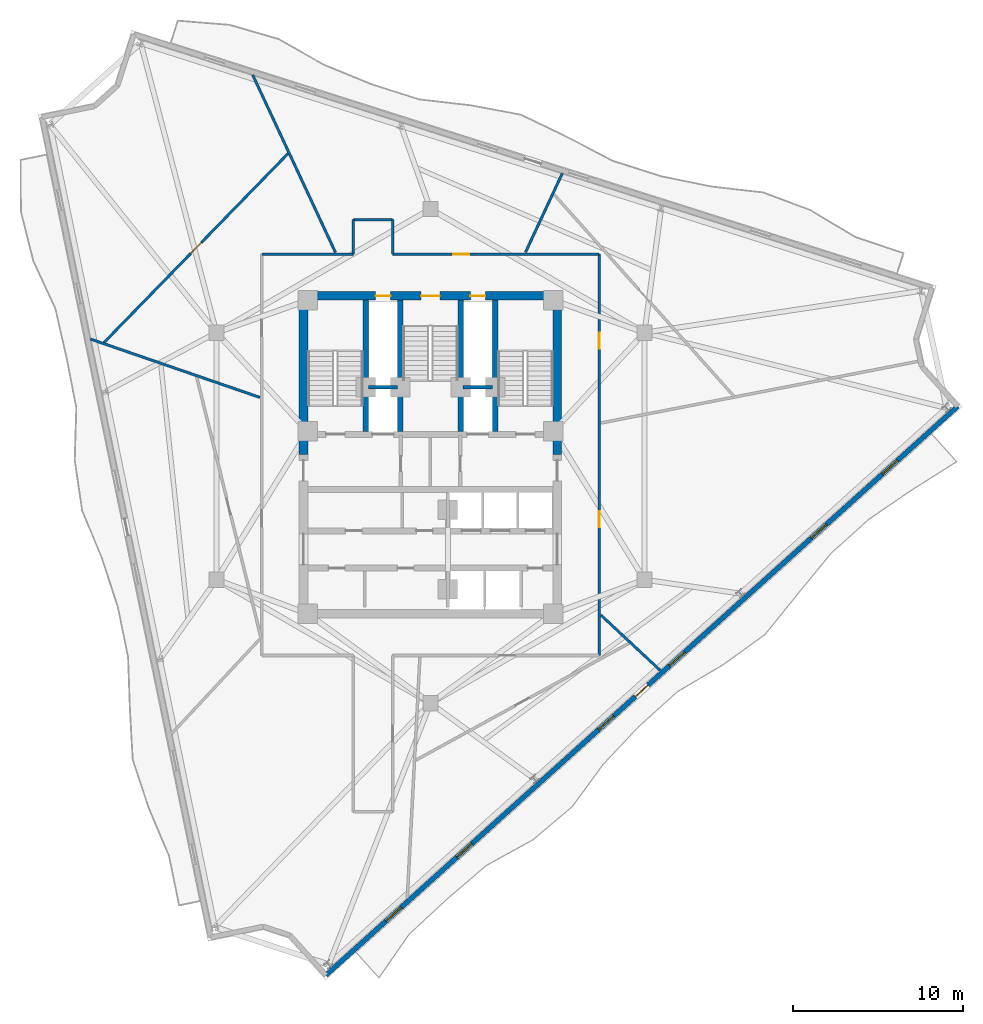
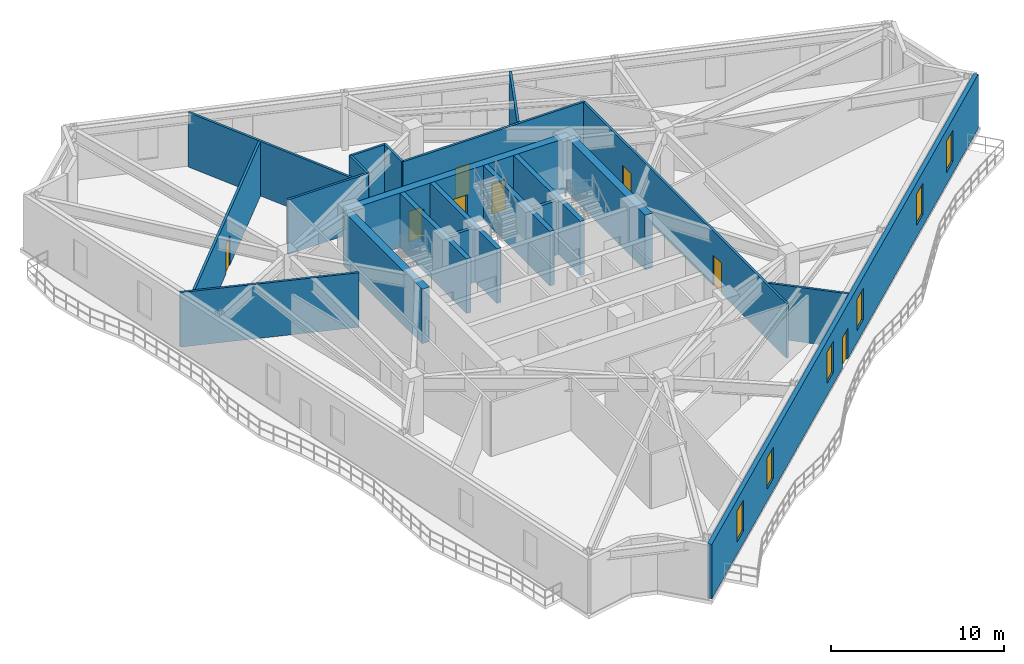
# One storey, part 7 of 12: 21 walls, 8 doors, 6 windows, 14 openings.
"""IFC4 building model written with IfcOpenShell, lengths in metres."""

import ifcopenshell
import ifcopenshell.guid

model = None  # the IFC model being written
_history = None  # IfcOwnerHistory: only IFC2X3 demands one
_inside = {}  # id of a spatial element -> (the spatial element, [elements in it])
_under = {}  # id of a project, library or spatial element -> (it, [spatial elements below it])
_declared = {}  # id of a project -> (the project, [libraries it declares])
_typed = {}  # id of a type object -> (the type object, [elements of that type])
_made_of = {}  # id of a material, layer set ... -> (it, [elements and type objects made of it])


def new_model(schema):
    """Start an empty IFC model of exactly this schema.

    Asked for "IFC4X3", IfcOpenShell would pick the latest addendum, in which some entities
    have other attributes; the version numbers below select the first issue.
    IFC2X3 requires an IfcOwnerHistory on every rooted entity: one is made here for all.
    """
    global model, _history
    if schema == "IFC4X3":
        model = ifcopenshell.file(schema_version=(4, 3, 0, 0))
    else:
        model = ifcopenshell.file(schema=schema)
    _inside.clear()
    _under.clear()
    _declared.clear()
    _typed.clear()
    _made_of.clear()
    _history = None
    if model.schema == "IFC2X3":
        org = make("IfcOrganization", Name="unknown")
        user = make(
            "IfcPersonAndOrganization",
            ThePerson=make("IfcPerson", FamilyName="unknown"),
            TheOrganization=org,
        )
        app = make(
            "IfcApplication",
            ApplicationDeveloper=org,
            Version="unknown",
            ApplicationFullName="unknown",
            ApplicationIdentifier="unknown",
        )
        _history = make(
            "IfcOwnerHistory",
            OwningUser=user,
            OwningApplication=app,
            ChangeAction="ADDED",
            CreationDate=0,
        )
    return model


def make(cls, **values):
    """One entity of the class cls with the attributes given. An attribute that is None is left unset."""
    return model.create_entity(
        cls, **{name: value for name, value in values.items() if value is not None}
    )


def rooted(cls, **values):
    """An entity with a GlobalId (a new one), such as an element, a storey or a relation."""
    return make(cls, GlobalId=ifcopenshell.guid.new(), OwnerHistory=_history, **values)


def si_unit(unit_type, name, prefix=None):
    """IfcSIUnit, for example si_unit("LENGTHUNIT", "METRE", prefix="MILLI")."""
    return make("IfcSIUnit", UnitType=unit_type, Prefix=prefix, Name=name)


def assignment(units):
    """IfcUnitAssignment: the units of a project."""
    return None if units is None else make("IfcUnitAssignment", Units=units)


def point(xyz):
    """IfcCartesianPoint."""
    return None if xyz is None else make("IfcCartesianPoint", Coordinates=xyz)


def direction(xyz):
    """IfcDirection."""
    return None if xyz is None else make("IfcDirection", DirectionRatios=xyz)


def frame(location, z_axis=None, x_axis=None):
    """IfcAxis2Placement3D, a coordinate frame: its origin and axes. An axis left out is left unset."""
    return make(
        "IfcAxis2Placement3D",
        Location=point(location),
        Axis=direction(z_axis),
        RefDirection=direction(x_axis),
    )


def frame_2d(location, x_axis=None):
    """IfcAxis2Placement2D, a coordinate frame in the plane: its origin and x axis."""
    return make(
        "IfcAxis2Placement2D", Location=point(location), RefDirection=direction(x_axis)
    )


def origin():
    """The frame at (0, 0, 0) with its axes left unset."""
    return frame((0.0, 0.0, 0.0))


def place(relative_to, where):
    """IfcLocalPlacement: puts the frame where relative to a parent placement (None: the world)."""
    return make(
        "IfcLocalPlacement", PlacementRelTo=relative_to, RelativePlacement=where
    )


def context(
    kind, dimensions, precision=None, world=None, true_north=None, identifier=None
):
    """IfcGeometricRepresentationContext, for example the 3D "Model" context."""
    return make(
        "IfcGeometricRepresentationContext",
        ContextIdentifier=identifier,
        ContextType=kind,
        CoordinateSpaceDimension=dimensions,
        Precision=precision,
        WorldCoordinateSystem=world,
        TrueNorth=true_north,
    )


def subcontext(parent, identifier, kind, view, scale=None):
    """IfcGeometricRepresentationSubContext, for example "Body" below "Model"."""
    return make(
        "IfcGeometricRepresentationSubContext",
        ContextIdentifier=identifier,
        ContextType=kind,
        ParentContext=parent,
        TargetScale=scale,
        TargetView=view,
    )


def project(units=None, contexts=None):
    """IfcProject with its units and contexts."""
    return rooted(
        "IfcProject",
        Name="project",
        RepresentationContexts=contexts,
        UnitsInContext=assignment(units),
    )


def spatial(cls, under=None, at=None, **own):
    """A site, building, storey or space (cls), placed at a placement, below another one or the project."""
    s = rooted(cls, ObjectPlacement=at, **own)
    if under is not None:
        _under.setdefault(under.id(), (under, []))[1].append(s)
    return s


def profile(cls, at=None, kind="AREA", **sizes):
    """A parametric profile (cls). Its sizes go by their IFC names, for example OverallWidth=200.0."""
    return make(cls, ProfileType=kind, Position=at, **sizes)


def rectangle(**sizes):
    """IfcRectangleProfileDef."""
    return profile("IfcRectangleProfileDef", **sizes)


def extrude(swept, where, along, depth):
    """IfcExtrudedAreaSolid: the profile swept, set in the frame where, extruded along a direction by depth."""
    return make(
        "IfcExtrudedAreaSolid",
        SweptArea=swept,
        Position=where,
        ExtrudedDirection=direction(along),
        Depth=depth,
    )


def shape(context_of_items, identifier, shape_type, items):
    """IfcShapeRepresentation: the items that make up one representation, for example the "Body"."""
    return make(
        "IfcShapeRepresentation",
        ContextOfItems=context_of_items,
        RepresentationIdentifier=identifier,
        RepresentationType=shape_type,
        Items=items,
    )


def material(Name=None, Category=None):
    """IfcMaterial."""
    return make("IfcMaterial", Name=Name, Category=Category)


def layer(
    of_material, thickness, ventilated=None, Name=None, Category=None, Priority=None
):
    """IfcMaterialLayer: one layer of a wall or slab, of a material (None: an air gap)."""
    return make(
        "IfcMaterialLayer",
        Material=of_material,
        LayerThickness=thickness,
        IsVentilated=ventilated,
        Name=Name,
        Category=Category,
        Priority=Priority,
    )


def layer_set(layers, Name=None):
    """IfcMaterialLayerSet."""
    return make("IfcMaterialLayerSet", MaterialLayers=layers, LayerSetName=Name)


def made_of(thing, what):
    """Note that an element or type object is made of a material, layer set ...; save() writes the relation."""
    if what is not None:
        _made_of.setdefault(what.id(), (what, []))[1].append(thing)
    return thing


def type_object(cls, material=None, **own):
    """A type object (cls), such as IfcWallType, which elements share."""
    return made_of(rooted(cls, **own), material)


def element(
    cls,
    number,
    at=None,
    inside=None,
    cuts=None,
    type_object=None,
    material=None,
    context=None,
    identifier="Body",
    shape_type=None,
    held_by="IfcProductDefinitionShape",
    body=None,
    shapes=None,
    **own,
):
    """One element of the class cls, such as IfcWall. Its Tag is "e" and its number.

    at: its placement. inside: the storey or other place that contains it. cuts: it is an
    opening in that element (IfcRelVoidsElement). A single representation is given by context,
    identifier, shape_type and body (its items); several are given by shapes. held_by: the class
    of the entity that holds the representations. save() writes the other relations.
    """
    e = rooted(cls, Tag="e%d" % number, ObjectPlacement=at, **own)
    if body is not None:
        shapes = [shape(context, identifier, shape_type, body)]
    if shapes is not None:
        e.Representation = make(held_by, Representations=shapes)
    if inside is not None:
        _inside.setdefault(inside.id(), (inside, []))[1].append(e)
    if cuts is not None:
        rooted(
            "IfcRelVoidsElement", RelatingBuildingElement=cuts, RelatedOpeningElement=e
        )
    if type_object is not None:
        _typed.setdefault(type_object.id(), (type_object, []))[1].append(e)
    return made_of(e, material)


def fill(opening, filler):
    """IfcRelFillsElement: the door or window that sits in an opening."""
    return rooted(
        "IfcRelFillsElement",
        RelatingOpeningElement=opening,
        RelatedBuildingElement=filler,
    )


def aggregate(whole, parts):
    """IfcRelAggregates: a whole, such as a stair, and the parts it consists of."""
    return rooted("IfcRelAggregates", RelatingObject=whole, RelatedObjects=parts)


def save(model, path):
    """Write the relations noted so far, then the file.

    IfcRelAggregates (storeys below a building ...), IfcRelContainedInSpatialStructure (elements
    in a storey), IfcRelDefinesByType, IfcRelAssociatesMaterial and IfcRelDeclares: one each for
    every whole, place, type object, material and project.
    """
    for whole, parts in _under.values():
        aggregate(whole, parts)
    for where, things in _inside.values():
        rooted(
            "IfcRelContainedInSpatialStructure",
            RelatedElements=things,
            RelatingStructure=where,
        )
    for kind, things in _typed.values():
        rooted("IfcRelDefinesByType", RelatedObjects=things, RelatingType=kind)
    for what, things in _made_of.values():
        rooted("IfcRelAssociatesMaterial", RelatedObjects=things, RelatingMaterial=what)
    for by, libraries in _declared.values():
        rooted("IfcRelDeclares", RelatingContext=by, RelatedDefinitions=libraries)
    model.write(path)


model = new_model("IFC4")

# Units and contexts
model_context = context("Model", 3, precision=1e-05, world=origin(), true_north=direction((0.0, 1.0)))
body_context = subcontext(model_context, "Body", "Model", "MODEL_VIEW")
ifc_project = project(units=[si_unit("LENGTHUNIT", "METRE"), si_unit("AREAUNIT", "SQUARE_METRE"), si_unit("VOLUMEUNIT", "CUBIC_METRE"), si_unit("PLANEANGLEUNIT", "RADIAN"), si_unit("MASSUNIT", "GRAM", prefix="KILO")], contexts=[model_context])

# Site, building, storey
site_placement = place(None, origin())
site = spatial("IfcSite", under=ifc_project, at=site_placement, CompositionType="ELEMENT")
building_placement = place(site_placement, origin())
building = spatial("IfcBuilding", under=site, at=building_placement, Name="Apsidion Concourse Tower", CompositionType="ELEMENT")
storey_placement = place(building_placement, frame((0.0, 0.0, 240.39990234375)))
storey = spatial("IfcBuildingStorey", under=building, at=storey_placement, Name="L56", CompositionType="ELEMENT", Elevation=240.39990234375)

# Wall, openings, door, windows
ifc_material_1 = material(Name="Precast concrete C40/50", Category="concrete")
ifc_layer_1 = layer(ifc_material_1, 0.280029296875)
ifc_layer_set_1 = layer_set([ifc_layer_1], Name="Precast concrete C40/50")
wall_type_1 = type_object("IfcWallType", Name="WL-EXT-280", PredefinedType="STANDARD", material=ifc_layer_set_1)
wall_1_placement = place(storey_placement, frame((30.9345703125, 2.915771484375, 0.0), z_axis=(0.0, 0.0, 1.0), x_axis=(-0.743143233829, -0.66913237406, 0.0)))
wall_1 = element("IfcWall", 1, at=wall_1_placement, inside=storey, type_object=wall_type_1, Name="L56 Precast Stone Facade Wall 05", PredefinedType="STANDARD", context=body_context, shape_type="SweptSolid", body=[
    extrude(rectangle(XDim=49.8798828125, YDim=0.280029296875, at=frame_2d((24.93994140625, 0.0))), origin(), (0.0, 0.0, 1.0), 3.85009765625),
])
opening_1_placement = place(wall_1_placement, frame((24.43994140625, 0.0, 0.0)))
opening_1 = element("IfcOpeningElement", 2, at=opening_1_placement, cuts=wall_1, Name="Opening D-T1R", PredefinedType="OPENING", context=body_context, shape_type="SweptSolid", body=[
    extrude(rectangle(XDim=1.0, YDim=2.14990234375, at=frame_2d((0.5, 1.074951171875))), frame((0.0, 0.14990234375, 0.0), z_axis=(0.0, -1.0, 0.0), x_axis=(1.0, 0.0, 0.0)), (0.0, 0.0, 1.0), 0.300048828125),
])
opening_2_placement = place(wall_1_placement, frame((4.739990234375, 0.0, 0.85009765625)))
opening_2 = element("IfcOpeningElement", 3, at=opening_2_placement, cuts=wall_1, Name="Opening WN-06", PredefinedType="OPENING", context=body_context, shape_type="SweptSolid", body=[
    extrude(rectangle(XDim=1.199951171875, YDim=2.199951171875, at=frame_2d((0.60009765625, 1.10009765625))), frame((0.0, 0.14990234375, 0.0), z_axis=(0.0, -1.0, 0.0), x_axis=(1.0, 0.0, 0.0)), (0.0, 0.0, 1.0), 0.300048828125),
])
opening_3_placement = place(wall_1_placement, frame((10.33984375, 0.0, 0.85009765625)))
opening_3 = element("IfcOpeningElement", 4, at=opening_3_placement, cuts=wall_1, Name="Opening WN-06", PredefinedType="OPENING", context=body_context, shape_type="SweptSolid", body=[
    extrude(rectangle(XDim=1.199951171875, YDim=2.199951171875, at=frame_2d((0.60009765625, 1.10009765625))), frame((0.0, 0.14990234375, 0.0), z_axis=(0.0, -1.0, 0.0), x_axis=(1.0, 0.0, 0.0)), (0.0, 0.0, 1.0), 0.300048828125),
])
opening_4_placement = place(wall_1_placement, frame((21.539794921875, 0.0, 0.85009765625)))
opening_4 = element("IfcOpeningElement", 5, at=opening_4_placement, cuts=wall_1, Name="Opening WN-06", PredefinedType="OPENING", context=body_context, shape_type="SweptSolid", body=[
    extrude(rectangle(XDim=1.199951171875, YDim=2.199951171875, at=frame_2d((0.60009765625, 1.10009765625))), frame((0.0, 0.14990234375, 0.0), z_axis=(0.0, -1.0, 0.0), x_axis=(1.0, 0.0, 0.0)), (0.0, 0.0, 1.0), 0.300048828125),
])
opening_5_placement = place(wall_1_placement, frame((27.139892578125, 0.0, 0.85009765625)))
opening_5 = element("IfcOpeningElement", 6, at=opening_5_placement, cuts=wall_1, Name="Opening WN-06", PredefinedType="OPENING", context=body_context, shape_type="SweptSolid", body=[
    extrude(rectangle(XDim=1.199951171875, YDim=2.199951171875, at=frame_2d((0.60009765625, 1.10009765625))), frame((0.0, 0.14990234375, 0.0), z_axis=(0.0, -1.0, 0.0), x_axis=(1.0, 0.0, 0.0)), (0.0, 0.0, 1.0), 0.300048828125),
])
opening_6_placement = place(wall_1_placement, frame((38.33984375, 0.0, 0.85009765625)))
opening_6 = element("IfcOpeningElement", 7, at=opening_6_placement, cuts=wall_1, Name="Opening WN-06", PredefinedType="OPENING", context=body_context, shape_type="SweptSolid", body=[
    extrude(rectangle(XDim=1.199951171875, YDim=2.199951171875, at=frame_2d((0.60009765625, 1.10009765625))), frame((0.0, 0.14990234375, 0.0), z_axis=(0.0, -1.0, 0.0), x_axis=(1.0, 0.0, 0.0)), (0.0, 0.0, 1.0), 0.300048828125),
])
opening_7_placement = place(wall_1_placement, frame((43.93994140625, 0.0, 0.85009765625)))
opening_7 = element("IfcOpeningElement", 8, at=opening_7_placement, cuts=wall_1, Name="Opening WN-06", PredefinedType="OPENING", context=body_context, shape_type="SweptSolid", body=[
    extrude(rectangle(XDim=1.199951171875, YDim=2.199951171875, at=frame_2d((0.60009765625, 1.10009765625))), frame((0.0, 0.14990234375, 0.0), z_axis=(0.0, -1.0, 0.0), x_axis=(1.0, 0.0, 0.0)), (0.0, 0.0, 1.0), 0.300048828125),
])
ifc_material_2 = material(Name="Anodised aluminium EN AW-6063 T6", Category="aluminium")
door_type_1 = type_object("IfcDoorType", Name="DR-TER-1022R", OperationType="SINGLE_SWING_RIGHT", PredefinedType="DOOR", material=ifc_material_2)
door_1_placement = place(opening_1_placement, origin())
door_1 = element("IfcDoor", 9, at=door_1_placement, inside=storey, type_object=door_type_1, Name="L56 Balcony Access Door 2", OperationType="SINGLE_SWING_RIGHT", OverallHeight=2.14990234375, OverallWidth=1.0, PredefinedType="DOOR", context=body_context, shape_type="SweptSolid", body=[
    extrude(rectangle(XDim=1.0, YDim=2.14990234375, at=frame_2d((0.5, 1.074951171875))), frame((0.0, 0.02490234375, 0.0), z_axis=(0.0, -1.0, 0.0), x_axis=(1.0, 0.0, 0.0)), (0.0, 0.0, 1.0), 0.050048828125),
])
fill(opening_1, door_1)
ifc_material_3 = material(Name="Insulated laminated low-E glass", Category="glass")
window_type = type_object("IfcWindowType", Name="WN-OFF-1224", PartitioningType="SINGLE_PANEL", PredefinedType="WINDOW", material=ifc_material_3)
window_1_placement = place(opening_2_placement, origin())
window_1 = element("IfcWindow", 10, at=window_1_placement, inside=storey, type_object=window_type, Name="L56 Punched Facade Window 5-01", OverallHeight=2.199951171875, OverallWidth=1.199951171875, PartitioningType="SINGLE_PANEL", PredefinedType="WINDOW", context=body_context, shape_type="SweptSolid", body=[
    extrude(rectangle(XDim=1.199951171875, YDim=2.199951171875, at=frame_2d((0.60009765625, 1.10009765625))), frame((0.0, 0.030029296875, 0.0), z_axis=(0.0, -1.0, 0.0), x_axis=(1.0, 0.0, 0.0)), (0.0, 0.0, 1.0), 0.06005859375),
])
fill(opening_2, window_1)
window_2_placement = place(opening_3_placement, origin())
window_2 = element("IfcWindow", 11, at=window_2_placement, inside=storey, type_object=window_type, Name="L56 Punched Facade Window 5-02", OverallHeight=2.199951171875, OverallWidth=1.199951171875, PartitioningType="SINGLE_PANEL", PredefinedType="WINDOW", context=body_context, shape_type="SweptSolid", body=[
    extrude(rectangle(XDim=1.199951171875, YDim=2.199951171875, at=frame_2d((0.60009765625, 1.10009765625))), frame((0.0, 0.030029296875, 0.0), z_axis=(0.0, -1.0, 0.0), x_axis=(1.0, 0.0, 0.0)), (0.0, 0.0, 1.0), 0.06005859375),
])
fill(opening_3, window_2)
window_3_placement = place(opening_4_placement, origin())
window_3 = element("IfcWindow", 12, at=window_3_placement, inside=storey, type_object=window_type, Name="L56 Punched Facade Window 5-04", OverallHeight=2.199951171875, OverallWidth=1.199951171875, PartitioningType="SINGLE_PANEL", PredefinedType="WINDOW", context=body_context, shape_type="SweptSolid", body=[
    extrude(rectangle(XDim=1.199951171875, YDim=2.199951171875, at=frame_2d((0.60009765625, 1.10009765625))), frame((0.0, 0.030029296875, 0.0), z_axis=(0.0, -1.0, 0.0), x_axis=(1.0, 0.0, 0.0)), (0.0, 0.0, 1.0), 0.06005859375),
])
fill(opening_4, window_3)
window_4_placement = place(opening_5_placement, origin())
window_4 = element("IfcWindow", 13, at=window_4_placement, inside=storey, type_object=window_type, Name="L56 Punched Facade Window 5-05", OverallHeight=2.199951171875, OverallWidth=1.199951171875, PartitioningType="SINGLE_PANEL", PredefinedType="WINDOW", context=body_context, shape_type="SweptSolid", body=[
    extrude(rectangle(XDim=1.199951171875, YDim=2.199951171875, at=frame_2d((0.60009765625, 1.10009765625))), frame((0.0, 0.030029296875, 0.0), z_axis=(0.0, -1.0, 0.0), x_axis=(1.0, 0.0, 0.0)), (0.0, 0.0, 1.0), 0.06005859375),
])
fill(opening_5, window_4)
window_5_placement = place(opening_6_placement, origin())
window_5 = element("IfcWindow", 14, at=window_5_placement, inside=storey, type_object=window_type, Name="L56 Punched Facade Window 5-07", OverallHeight=2.199951171875, OverallWidth=1.199951171875, PartitioningType="SINGLE_PANEL", PredefinedType="WINDOW", context=body_context, shape_type="SweptSolid", body=[
    extrude(rectangle(XDim=1.199951171875, YDim=2.199951171875, at=frame_2d((0.60009765625, 1.10009765625))), frame((0.0, 0.030029296875, 0.0), z_axis=(0.0, -1.0, 0.0), x_axis=(1.0, 0.0, 0.0)), (0.0, 0.0, 1.0), 0.06005859375),
])
fill(opening_6, window_5)
window_6_placement = place(opening_7_placement, origin())
window_6 = element("IfcWindow", 15, at=window_6_placement, inside=storey, type_object=window_type, Name="L56 Punched Facade Window 5-08", OverallHeight=2.199951171875, OverallWidth=1.199951171875, PartitioningType="SINGLE_PANEL", PredefinedType="WINDOW", context=body_context, shape_type="SweptSolid", body=[
    extrude(rectangle(XDim=1.199951171875, YDim=2.199951171875, at=frame_2d((0.60009765625, 1.10009765625))), frame((0.0, 0.030029296875, 0.0), z_axis=(0.0, -1.0, 0.0), x_axis=(1.0, 0.0, 0.0)), (0.0, 0.0, 1.0), 0.06005859375),
])
fill(opening_7, window_6)

# Walls
ifc_material_4 = material(Name="Gypsum plasterboard partition")
ifc_layer_2 = layer(ifc_material_4, 0.14990234375)
ifc_layer_set_2 = layer_set([ifc_layer_2], Name="Gypsum plasterboard partition")
wall_type_2 = type_object("IfcWallType", Name="WL-INT-PAR-150", PredefinedType="PARTITIONING", material=ifc_layer_set_2)
wall_2_placement = place(storey_placement, frame((-9.89990234375, 11.85009765625, 0.0), z_axis=(0.0, 0.0, 1.0), x_axis=(1.0, 0.0, 0.0)))
element("IfcWall", 16, at=wall_2_placement, inside=storey, type_object=wall_type_2, Name="L56 Interior Partition WL-L56-CORR-03", PredefinedType="PARTITIONING", context=body_context, shape_type="SweptSolid", body=[
    extrude(rectangle(XDim=5.369873046875, YDim=0.14990234375, at=frame_2d((2.68505859375, 0.0))), origin(), (0.0, 0.0, 1.0), 3.85009765625),
])
wall_3_placement = place(storey_placement, frame((-4.530029296875, 11.85009765625, 0.0), z_axis=(0.0, 0.0, 1.0), x_axis=(0.0, 1.0, 0.0)))
element("IfcWall", 17, at=wall_3_placement, inside=storey, type_object=wall_type_2, Name="L56 Interior Partition WL-L56-CORR-04", PredefinedType="PARTITIONING", context=body_context, shape_type="SweptSolid", body=[
    extrude(rectangle(XDim=2.02978515625, YDim=0.14990234375, at=frame_2d((1.014892578125, 0.0))), origin(), (0.0, 0.0, 1.0), 3.85009765625),
])
wall_4_placement = place(storey_placement, frame((-4.530029296875, 13.8798828125, 0.0), z_axis=(0.0, 0.0, 1.0), x_axis=(1.0, 0.0, 0.0)))
element("IfcWall", 18, at=wall_4_placement, inside=storey, type_object=wall_type_2, Name="L56 Interior Partition WL-L56-CORR-05", PredefinedType="PARTITIONING", context=body_context, shape_type="SweptSolid", body=[
    extrude(rectangle(XDim=2.31005859375, YDim=0.14990234375, at=frame_2d((1.155029296875, 0.0))), origin(), (0.0, 0.0, 1.0), 3.85009765625),
])
wall_5_placement = place(storey_placement, frame((-2.219970703125, 13.8798828125, 0.0), z_axis=(0.0, 0.0, 1.0), x_axis=(0.0, -1.0, 0.0)))
element("IfcWall", 19, at=wall_5_placement, inside=storey, type_object=wall_type_2, Name="L56 Interior Partition WL-L56-CORR-06", PredefinedType="PARTITIONING", context=body_context, shape_type="SweptSolid", body=[
    extrude(rectangle(XDim=2.02978515625, YDim=0.14990234375, at=frame_2d((1.014892578125, 0.0))), origin(), (0.0, 0.0, 1.0), 3.85009765625),
])

# Wall, opening, door
wall_6_placement = place(storey_placement, frame((-2.219970703125, 11.85009765625, 0.0), z_axis=(0.0, 0.0, 1.0), x_axis=(1.0, 0.0, 0.0)))
wall_6 = element("IfcWall", 20, at=wall_6_placement, inside=storey, type_object=wall_type_2, Name="L56 Interior Partition WL-L56-CORR-07", PredefinedType="PARTITIONING", context=body_context, shape_type="SweptSolid", body=[
    extrude(rectangle(XDim=12.119873046875, YDim=0.14990234375, at=frame_2d((6.06005859375, 0.0))), origin(), (0.0, 0.0, 1.0), 3.85009765625),
])
opening_8_placement = place(wall_6_placement, frame((3.5439453125, 0.0, 0.0)))
opening_8 = element("IfcOpeningElement", 21, at=opening_8_placement, cuts=wall_6, Name="Opening D-01R", PredefinedType="OPENING", context=body_context, shape_type="SweptSolid", body=[
    extrude(rectangle(XDim=0.949951171875, YDim=2.14990234375, at=frame_2d((0.47509765625, 1.074951171875))), frame((0.0, 0.0849609375, 0.0), z_axis=(0.0, -1.0, 0.0), x_axis=(1.0, 0.0, 0.0)), (0.0, 0.0, 1.0), 0.169921875),
])
ifc_material_5 = material(Name="Brushed stainless steel 316", Category="steel")
door_type_2 = type_object("IfcDoorType", Name="DR-INT-D01R", OperationType="SINGLE_SWING_RIGHT", PredefinedType="DOOR", material=ifc_material_5)
door_2_placement = place(opening_8_placement, origin())
door_2 = element("IfcDoor", 22, at=door_2_placement, inside=storey, type_object=door_type_2, Name="L56 Corridor Entry Door 06", OperationType="SINGLE_SWING_RIGHT", OverallHeight=2.14990234375, OverallWidth=0.949951171875, PredefinedType="DOOR", context=body_context, shape_type="SweptSolid", body=[
    extrude(rectangle(XDim=0.949951171875, YDim=2.14990234375, at=frame_2d((0.47509765625, 1.074951171875))), frame((0.0, 0.02490234375, 0.0), z_axis=(0.0, -1.0, 0.0), x_axis=(1.0, 0.0, 0.0)), (0.0, 0.0, 1.0), 0.050048828125),
])
fill(opening_8, door_2)

# Wall, openings, doors
wall_7_placement = place(storey_placement, frame((9.89990234375, 11.85009765625, 0.0), z_axis=(0.0, 0.0, 1.0), x_axis=(0.0, -1.0, 0.0)))
wall_7 = element("IfcWall", 23, at=wall_7_placement, inside=storey, type_object=wall_type_2, Name="L56 Interior Partition WL-L56-CORR-08", PredefinedType="PARTITIONING", context=body_context, shape_type="SweptSolid", body=[
    extrude(rectangle(XDim=23.550048828125, YDim=0.14990234375, at=frame_2d((11.77490234375, 0.0))), origin(), (0.0, 0.0, 1.0), 3.85009765625),
])
opening_9_placement = place(wall_7_placement, frame((15.0751953125, 0.0, 0.0)))
opening_9 = element("IfcOpeningElement", 24, at=opening_9_placement, cuts=wall_7, Name="Opening D-01R", PredefinedType="OPENING", context=body_context, shape_type="SweptSolid", body=[
    extrude(rectangle(XDim=0.949951171875, YDim=2.14990234375, at=frame_2d((0.47509765625, 1.074951171875))), frame((0.0, 0.0849609375, 0.0), z_axis=(0.0, -1.0, 0.0), x_axis=(1.0, 0.0, 0.0)), (0.0, 0.0, 1.0), 0.169921875),
])
opening_10_placement = place(wall_7_placement, frame((4.607177734375, 0.0, 0.0)))
opening_10 = element("IfcOpeningElement", 25, at=opening_10_placement, cuts=wall_7, Name="Opening D-01L", PredefinedType="OPENING", context=body_context, shape_type="SweptSolid", body=[
    extrude(rectangle(XDim=0.949951171875, YDim=2.14990234375, at=frame_2d((0.47509765625, 1.074951171875))), frame((0.0, 0.0849609375, 0.0), z_axis=(0.0, -1.0, 0.0), x_axis=(1.0, 0.0, 0.0)), (0.0, 0.0, 1.0), 0.169921875),
])
door_type_3 = type_object("IfcDoorType", Name="DR-INT-D01L", OperationType="SINGLE_SWING_LEFT", PredefinedType="DOOR", material=ifc_material_5)
door_3_placement = place(opening_10_placement, origin())
door_3 = element("IfcDoor", 26, at=door_3_placement, inside=storey, type_object=door_type_3, Name="L56 Corridor Entry Door 05", OperationType="SINGLE_SWING_LEFT", OverallHeight=2.14990234375, OverallWidth=0.949951171875, PredefinedType="DOOR", context=body_context, shape_type="SweptSolid", body=[
    extrude(rectangle(XDim=0.949951171875, YDim=2.14990234375, at=frame_2d((0.47509765625, 1.074951171875))), frame((0.0, 0.02490234375, 0.0), z_axis=(0.0, -1.0, 0.0), x_axis=(1.0, 0.0, 0.0)), (0.0, 0.0, 1.0), 0.050048828125),
])
fill(opening_10, door_3)
door_4_placement = place(opening_9_placement, origin())
door_4 = element("IfcDoor", 27, at=door_4_placement, inside=storey, type_object=door_type_2, Name="L56 Corridor Entry Door 04", OperationType="SINGLE_SWING_RIGHT", OverallHeight=2.14990234375, OverallWidth=0.949951171875, PredefinedType="DOOR", context=body_context, shape_type="SweptSolid", body=[
    extrude(rectangle(XDim=0.949951171875, YDim=2.14990234375, at=frame_2d((0.47509765625, 1.074951171875))), frame((0.0, 0.02490234375, 0.0), z_axis=(0.0, -1.0, 0.0), x_axis=(1.0, 0.0, 0.0)), (0.0, 0.0, 1.0), 0.050048828125),
])
fill(opening_9, door_4)

# Walls
wall_8_placement = place(storey_placement, frame((5.57470703125, 11.955078125, 0.0), z_axis=(0.0, 0.0, 1.0), x_axis=(0.422627158144, 0.906303638523, 0.0)))
element("IfcWall", 28, at=wall_8_placement, inside=storey, type_object=wall_type_2, Name="L56 Interior Partition WL-L56-RAD-02-1", PredefinedType="PARTITIONING", context=body_context, shape_type="SweptSolid", body=[
    extrude(rectangle(XDim=5.122802734375, YDim=0.14990234375, at=frame_2d((2.5615234375, 0.0))), origin(), (0.0, 0.0, 1.0), 3.85009765625),
])
wall_9_placement = place(storey_placement, frame((-5.57470703125, 11.955078125, 0.0), z_axis=(0.0, 0.0, 1.0), x_axis=(-0.422621412421, 0.906306317844, 0.0)))
element("IfcWall", 29, at=wall_9_placement, inside=storey, type_object=wall_type_2, Name="L56 Interior Partition WL-L56-RAD-03-1", PredefinedType="PARTITIONING", context=body_context, shape_type="SweptSolid", body=[
    extrude(rectangle(XDim=11.49072265625, YDim=0.14990234375, at=frame_2d((5.745361328125, 0.0))), origin(), (0.0, 0.0, 1.0), 3.85009765625),
])
wall_10_placement = place(storey_placement, frame((-10.0048828125, 3.445068359375, 0.0), z_axis=(0.0, 0.0, 1.0), x_axis=(-0.94552154792, 0.325559522082, 0.0)))
element("IfcWall", 30, at=wall_10_placement, inside=storey, type_object=wall_type_2, Name="L56 Interior Partition WL-L56-RAD-04-1", PredefinedType="PARTITIONING", context=body_context, shape_type="SweptSolid", body=[
    extrude(rectangle(XDim=10.5234375, YDim=0.14990234375, at=frame_2d((5.26171875, 0.0))), origin(), (0.0, 0.0, 1.0), 3.85009765625),
])
wall_11_placement = place(storey_placement, frame((10.0048828125, -9.329833984375, 0.0), z_axis=(0.0, 0.0, 1.0), x_axis=(0.731358310886, -0.681993417195, 0.0)))
element("IfcWall", 31, at=wall_11_placement, inside=storey, type_object=wall_type_2, Name="L56 Interior Partition WL-L56-RAD-07-1", PredefinedType="PARTITIONING", context=body_context, shape_type="SweptSolid", body=[
    extrude(rectangle(XDim=4.767578125, YDim=0.14990234375, at=frame_2d((2.3837890625, 0.0))), origin(), (0.0, 0.0, 1.0), 3.85009765625),
])

# Wall, opening, door
wall_12_placement = place(storey_placement, frame((-8.32421875, 17.7919921875, 0.0), z_axis=(0.0, 0.0, 1.0), x_axis=(-0.697638705939, -0.716449744208, 0.0)))
wall_12 = element("IfcWall", 32, at=wall_12_placement, inside=storey, type_object=wall_type_2, Name="L56 Interior Partition WL-L56-CHD-OFS06", PredefinedType="PARTITIONING", context=body_context, shape_type="SweptSolid", body=[
    extrude(rectangle(XDim=15.57421875, YDim=0.14990234375, at=frame_2d((7.787109375, 0.0))), origin(), (0.0, 0.0, 1.0), 3.85009765625),
])
opening_11_placement = place(wall_12_placement, frame((7.337158203125, 0.0, 0.0)))
opening_11 = element("IfcOpeningElement", 33, at=opening_11_placement, cuts=wall_12, Name="Opening D-02L", PredefinedType="OPENING", context=body_context, shape_type="SweptSolid", body=[
    extrude(rectangle(XDim=0.89990234375, YDim=2.10009765625, at=frame_2d((0.449951171875, 1.050048828125))), frame((0.0, 0.0849609375, 0.0), z_axis=(0.0, -1.0, 0.0), x_axis=(1.0, 0.0, 0.0)), (0.0, 0.0, 1.0), 0.169921875),
])
door_type_4 = type_object("IfcDoorType", Name="DR-INT-D02L", OperationType="SINGLE_SWING_LEFT", PredefinedType="DOOR", material=ifc_material_2)
door_5_placement = place(opening_11_placement, origin())
door_5 = element("IfcDoor", 34, at=door_5_placement, inside=storey, type_object=door_type_4, Name="L56 Suite Connecting Door OFS06", OperationType="SINGLE_SWING_LEFT", OverallHeight=2.10009765625, OverallWidth=0.89990234375, PredefinedType="DOOR", context=body_context, shape_type="SweptSolid", body=[
    extrude(rectangle(XDim=0.89990234375, YDim=2.10009765625, at=frame_2d((0.449951171875, 1.050048828125))), frame((0.0, 0.02490234375, 0.0), z_axis=(0.0, -1.0, 0.0), x_axis=(1.0, 0.0, 0.0)), (0.0, 0.0, 1.0), 0.050048828125),
])
fill(opening_11, door_5)

# Walls
ifc_layer_3 = layer(ifc_material_4, 0.199951171875)
ifc_layer_set_3 = layer_set([ifc_layer_3], Name="Gypsum plasterboard partition")
wall_type_3 = type_object("IfcWallType", Name="WL-INT-PAR-200", PredefinedType="PARTITIONING", material=ifc_layer_set_3)
for number, where, z_axis, x_axis, name in (
    (35, (-3.64990234375, 4.050048828125, 0.0), (0.0, 0.0, 1.0), (1.0, 0.0, 0.0), "L56 Interior Partition WL-L56-FF1-N"),
    (36, (1.919921875, 4.050048828125, 0.0), (0.0, 0.0, 1.0), (1.0, 0.0, 0.0), "L56 Interior Partition WL-L56-FF2-N"),
):
    element("IfcWall", number, at=place(storey_placement, frame(where, z_axis=z_axis, x_axis=x_axis)), inside=storey, type_object=wall_type_3, Name=name, PredefinedType="PARTITIONING", context=body_context, shape_type="SweptSolid", body=[
        extrude(rectangle(XDim=1.72998046875, YDim=0.199951171875, at=frame_2d((0.864990234375, 0.0))), origin(), (0.0, 0.0, 1.0), 3.85009765625),
    ])
ifc_material_6 = material(Name="Concrete C50/60", Category="concrete")
ifc_layer_4 = layer(ifc_material_6, 0.300048828125)
ifc_layer_set_4 = layer_set([ifc_layer_4], Name="Concrete C50/60")
wall_type_4 = type_object("IfcWallType", Name="WL-SH-300", PredefinedType="SHEAR", material=ifc_layer_set_4)
for number, where, z_axis, x_axis, name in (
    (37, (-3.800048828125, 1.449951171875, 0.0), (0.0, 0.0, 1.0), (0.0, 1.0, 0.0), "L56 Central Core Shear Wall V1"),
    (38, (-1.77490234375, 1.449951171875, 0.0), (0.0, 0.0, 1.0), (0.0, 1.0, 0.0), "L56 Central Core Shear Wall V2"),
    (39, (1.77490234375, 1.449951171875, 0.0), (0.0, 0.0, 1.0), (0.0, 1.0, 0.0), "L56 Central Core Shear Wall V3"),
    (40, (3.800048828125, 1.449951171875, 0.0), (0.0, 0.0, 1.0), (0.0, 1.0, 0.0), "L56 Central Core Shear Wall V4"),
):
    element("IfcWall", number, at=place(storey_placement, frame(where, z_axis=z_axis, x_axis=x_axis)), inside=storey, type_object=wall_type_4, Name=name, PredefinedType="SHEAR", context=body_context, shape_type="SweptSolid", body=[
        extrude(rectangle(XDim=7.699951171875, YDim=0.300048828125, at=frame_2d((3.85009765625, 0.0))), origin(), (0.0, 0.0, 1.0), 3.85009765625),
    ])

# Wall, openings, doors
ifc_layer_5 = layer(ifc_material_6, 0.5)
ifc_layer_set_5 = layer_set([ifc_layer_5], Name="Concrete C50/60")
wall_type_5 = type_object("IfcWallType", Name="WL-SH-500", PredefinedType="SHEAR", material=ifc_layer_set_5)
wall_13_placement = place(storey_placement, frame((-7.449951171875, 9.39990234375, 0.0), z_axis=(0.0, 0.0, 1.0), x_axis=(1.0, 0.0, 0.0)))
wall_13 = element("IfcWall", 41, at=wall_13_placement, inside=storey, type_object=wall_type_5, Name="L56 Central Core Shear Wall N", PredefinedType="SHEAR", context=body_context, shape_type="SweptSolid", body=[
    extrude(rectangle(XDim=14.89990234375, YDim=0.5, at=frame_2d((7.449951171875, 0.0))), origin(), (0.0, 0.0, 1.0), 3.85009765625),
])
opening_12_placement = place(wall_13_placement, frame((6.89990234375, 0.0, 0.0)))
opening_12 = element("IfcOpeningElement", 42, at=opening_12_placement, cuts=wall_13, Name="Opening D-STL", PredefinedType="OPENING", context=body_context, shape_type="SweptSolid", body=[
    extrude(rectangle(XDim=1.10009765625, YDim=2.14990234375, at=frame_2d((0.550048828125, 1.074951171875))), frame((0.0, 0.260009765625, 0.0), z_axis=(0.0, -1.0, 0.0), x_axis=(1.0, 0.0, 0.0)), (0.0, 0.0, 1.0), 0.52001953125),
])
opening_13_placement = place(wall_13_placement, frame((4.22998046875, 0.0, 0.0)))
opening_13 = element("IfcOpeningElement", 43, at=opening_13_placement, cuts=wall_13, Name="Opening D-05L", PredefinedType="OPENING", context=body_context, shape_type="SweptSolid", body=[
    extrude(rectangle(XDim=0.8798828125, YDim=2.14990234375, at=frame_2d((0.43994140625, 1.074951171875))), frame((0.0, 0.260009765625, 0.0), z_axis=(0.0, -1.0, 0.0), x_axis=(1.0, 0.0, 0.0)), (0.0, 0.0, 1.0), 0.52001953125),
])
opening_14_placement = place(wall_13_placement, frame((9.7900390625, 0.0, 0.0)))
opening_14 = element("IfcOpeningElement", 44, at=opening_14_placement, cuts=wall_13, Name="Opening D-05R", PredefinedType="OPENING", context=body_context, shape_type="SweptSolid", body=[
    extrude(rectangle(XDim=0.8798828125, YDim=2.14990234375, at=frame_2d((0.43994140625, 1.074951171875))), frame((0.0, 0.260009765625, 0.0), z_axis=(0.0, -1.0, 0.0), x_axis=(1.0, 0.0, 0.0)), (0.0, 0.0, 1.0), 0.52001953125),
])
door_type_5 = type_object("IfcDoorType", Name="DR-INT-D05L", OperationType="SINGLE_SWING_LEFT", PredefinedType="DOOR", material=ifc_material_5)
door_6_placement = place(opening_13_placement, origin())
door_6 = element("IfcDoor", 45, at=door_6_placement, inside=storey, type_object=door_type_5, Name="L56 Electrical Riser Shaft Access Door", OperationType="SINGLE_SWING_LEFT", OverallHeight=2.14990234375, OverallWidth=0.8798828125, PredefinedType="DOOR", context=body_context, shape_type="SweptSolid", body=[
    extrude(rectangle(XDim=0.8798828125, YDim=2.14990234375, at=frame_2d((0.43994140625, 1.074951171875))), frame((0.0, 0.02490234375, 0.0), z_axis=(0.0, -1.0, 0.0), x_axis=(1.0, 0.0, 0.0)), (0.0, 0.0, 1.0), 0.050048828125),
])
fill(opening_13, door_6)
door_type_6 = type_object("IfcDoorType", Name="DR-INT-D05R", OperationType="SINGLE_SWING_RIGHT", PredefinedType="DOOR", material=ifc_material_5)
door_7_placement = place(opening_14_placement, origin())
door_7 = element("IfcDoor", 46, at=door_7_placement, inside=storey, type_object=door_type_6, Name="L56 Mechanical Riser Shaft Access Door", OperationType="SINGLE_SWING_RIGHT", OverallHeight=2.14990234375, OverallWidth=0.8798828125, PredefinedType="DOOR", context=body_context, shape_type="SweptSolid", body=[
    extrude(rectangle(XDim=0.8798828125, YDim=2.14990234375, at=frame_2d((0.43994140625, 1.074951171875))), frame((0.0, 0.02490234375, 0.0), z_axis=(0.0, -1.0, 0.0), x_axis=(1.0, 0.0, 0.0)), (0.0, 0.0, 1.0), 0.050048828125),
])
fill(opening_14, door_7)
door_type_7 = type_object("IfcDoorType", Name="DR-INT-ST1L", OperationType="SINGLE_SWING_LEFT", PredefinedType="DOOR", material=ifc_material_5)
door_8_placement = place(opening_12_placement, origin())
door_8 = element("IfcDoor", 47, at=door_8_placement, inside=storey, type_object=door_type_7, Name="L56 Core Exit Stair ST3 Door", OperationType="SINGLE_SWING_LEFT", OverallHeight=2.14990234375, OverallWidth=1.10009765625, PredefinedType="DOOR", context=body_context, shape_type="SweptSolid", body=[
    extrude(rectangle(XDim=1.10009765625, YDim=2.14990234375, at=frame_2d((0.550048828125, 1.074951171875))), frame((0.0, 0.02490234375, 0.0), z_axis=(0.0, -1.0, 0.0), x_axis=(1.0, 0.0, 0.0)), (0.0, 0.0, 1.0), 0.050048828125),
])
fill(opening_12, door_8)

# Walls
for number, where, z_axis, x_axis, name in (
    (48, (-7.449951171875, 0.10009765625, 0.0), (0.0, 0.0, 1.0), (0.0, 1.0, 0.0), "L56 Central Core Shear Wall WN"),
    (49, (7.449951171875, 0.10009765625, 0.0), (0.0, 0.0, 1.0), (0.0, 1.0, 0.0), "L56 Central Core Shear Wall EN"),
):
    element("IfcWall", number, at=place(storey_placement, frame(where, z_axis=z_axis, x_axis=x_axis)), inside=storey, type_object=wall_type_5, Name=name, PredefinedType="SHEAR", context=body_context, shape_type="SweptSolid", body=[
        extrude(rectangle(XDim=9.0498046875, YDim=0.5, at=frame_2d((4.52490234375, 0.0))), origin(), (0.0, 0.0, 1.0), 3.85009765625),
    ])

save(model, "model.ifc")
